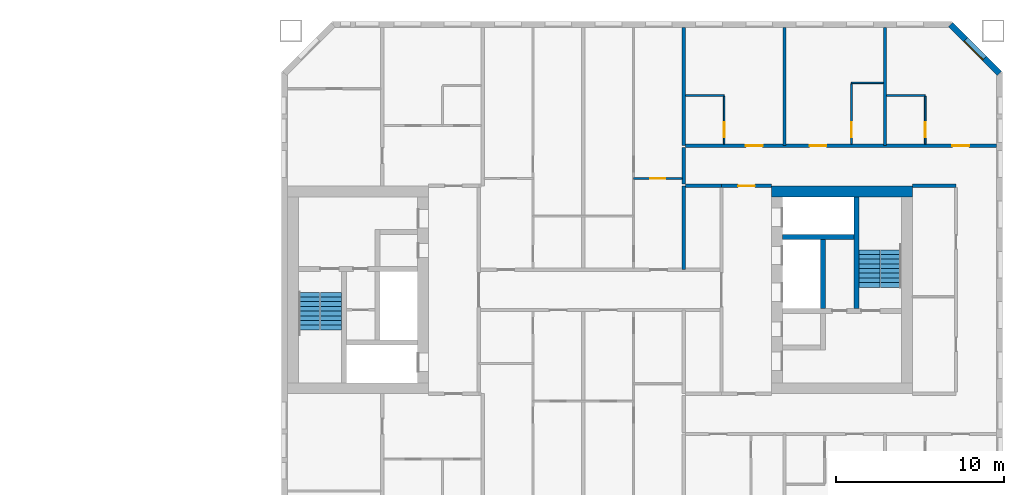
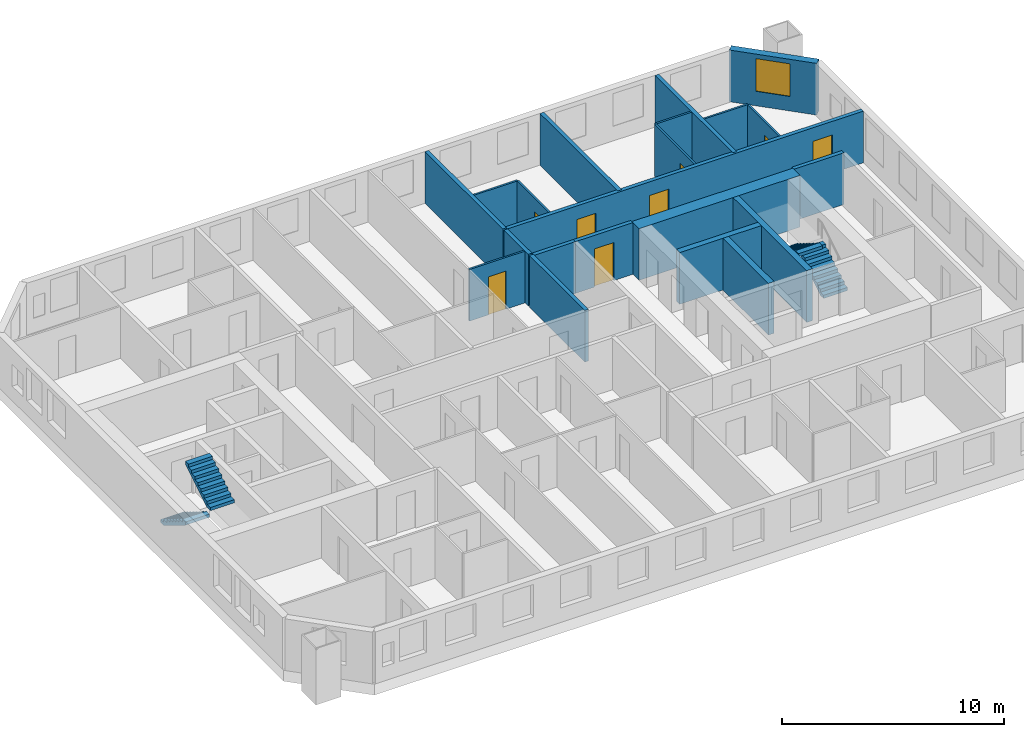
# One storey, part 14 of 16: 21 walls, 8 doors, 4 stair flights, 1 window, 9 openings, 2 elements without a shape of their own.
"""IFC4 building model written with IfcOpenShell, lengths in metres."""

from ifc_helpers import new_model, si_unit, direction, frame, frame_2d, origin, place, context, subcontext, project, spatial, polyline, rectangle, outline, extrude, material, layer, layer_set, type_object, element, fill, aggregate, save


model = new_model("IFC4")

# Units and contexts
model_context = context("Model", 3, precision=1e-05, world=origin(), true_north=direction((0.0, 1.0)))
body_context = subcontext(model_context, "Body", "Model", "MODEL_VIEW")
ifc_project = project(units=[si_unit("LENGTHUNIT", "METRE"), si_unit("AREAUNIT", "SQUARE_METRE"), si_unit("VOLUMEUNIT", "CUBIC_METRE"), si_unit("PLANEANGLEUNIT", "RADIAN"), si_unit("MASSUNIT", "GRAM", prefix="KILO")], contexts=[model_context])

# Site, building, storey
site_placement = place(None, origin())
site = spatial("IfcSite", under=ifc_project, at=site_placement, CompositionType="ELEMENT")
building_placement = place(site_placement, origin())
building = spatial("IfcBuilding", under=site, at=building_placement, Name="Tuart Gate Housing", CompositionType="ELEMENT")
storey_placement = place(building_placement, frame((0.0, 0.0, 96.39990234375)))
storey = spatial("IfcBuildingStorey", under=building, at=storey_placement, Name="L26", CompositionType="ELEMENT", Elevation=96.39990234375)

# Wall, opening, window
ifc_material_1 = material(Name="Brick", Category="masonry")
ifc_layer_1 = layer(ifc_material_1, 0.360107421875)
ifc_layer_set_1 = layer_set([ifc_layer_1], Name="Brick pier and spandrel wall 360")
wall_type_1 = type_object("IfcWallType", Name="Brick pier and spandrel wall 360", PredefinedType="STANDARD", material=ifc_layer_set_1)
wall_1_placement = place(storey_placement, frame((173.820068359375, 82.92529296875, 0.0), z_axis=(0.0, 0.0, 1.0), x_axis=(-0.707106781187, 0.707106781187, 0.0)))
wall_1 = element("IfcWall", 1, at=wall_1_placement, inside=storey, type_object=wall_type_1, Name="External wall B-NE L26", PredefinedType="STANDARD", context=body_context, shape_type="SweptSolid", body=[
    extrude(rectangle(XDim=4.09375, YDim=0.360107421875, at=frame_2d((2.046875, 0.0))), origin(), (0.0, 0.0, 1.0), 2.85009765625),
])
opening_1_placement = place(wall_1_placement, frame((1.2470703125, 0.0, 0.800048828125)))
opening_1 = element("IfcOpeningElement", 2, at=opening_1_placement, cuts=wall_1, Name="Opening W1", PredefinedType="OPENING", context=body_context, shape_type="SweptSolid", body=[
    extrude(rectangle(XDim=1.60009765625, YDim=1.800048828125, at=frame_2d((0.800048828125, 0.89990234375))), frame((0.0, 0.18994140625, 0.0), z_axis=(0.0, -1.0, 0.0), x_axis=(1.0, 0.0, 0.0)), (0.0, 0.0, 1.0), 0.380126953125),
])
ifc_material_2 = material(Name="Aluminium frame with clear glass", Category="aluminium")
window_type = type_object("IfcWindowType", Name="Punched window 1600 x 1800", PartitioningType="SINGLE_PANEL", PredefinedType="WINDOW", material=ifc_material_2)
window_placement = place(opening_1_placement, origin())
window = element("IfcWindow", 3, at=window_placement, inside=storey, type_object=window_type, Name="Window W1", OverallHeight=1.800048828125, OverallWidth=1.60009765625, PartitioningType="SINGLE_PANEL", PredefinedType="WINDOW", context=body_context, shape_type="SweptSolid", body=[
    extrude(rectangle(XDim=1.60009765625, YDim=1.800048828125, at=frame_2d((0.800048828125, 0.89990234375))), frame((0.0, 0.150146484375, 0.0), z_axis=(0.0, -1.0, 0.0), x_axis=(1.0, 0.0, 0.0)), (0.0, 0.0, 1.0), 0.06005859375),
])
fill(opening_1, window)

# Walls
ifc_material_3 = material(Name="Concrete C50", Category="concrete")
ifc_layer_2 = layer(ifc_material_3, 0.300048828125)
ifc_layer_set_2 = layer_set([ifc_layer_2], Name="Core wall 300 C50")
wall_type_2 = type_object("IfcWallType", Name="Core wall 300 C50", PredefinedType="SHEAR", material=ifc_layer_set_2)
wall_2_placement = place(storey_placement, frame((160.889892578125, 73.14990234375, 0.0), z_axis=(0.0, 0.0, 1.0), x_axis=(1.0, 0.0, 0.0)))
element("IfcWall", 4, at=wall_2_placement, inside=storey, type_object=wall_type_2, Name="Core wall BK.1", PredefinedType="SHEAR", context=body_context, shape_type="SweptSolid", body=[
    extrude(rectangle(XDim=4.25, YDim=0.300048828125, at=frame_2d((2.125, 0.0))), origin(), (0.0, 0.0, 1.0), 2.85009765625),
])
wall_3_placement = place(storey_placement, frame((163.2900390625, 73.0, 0.0), z_axis=(0.0, 0.0, 1.0), x_axis=(0.0, -1.0, 0.0)))
element("IfcWall", 5, at=wall_3_placement, inside=storey, type_object=wall_type_2, Name="Core wall BK.4", PredefinedType="SHEAR", context=body_context, shape_type="SweptSolid", body=[
    extrude(rectangle(XDim=4.10009765625, YDim=0.300048828125, at=frame_2d((2.050048828125, 0.0))), origin(), (0.0, 0.0, 1.0), 2.85009765625),
])
wall_4_placement = place(storey_placement, frame((165.2900390625, 75.550048828125, 0.0), z_axis=(0.0, 0.0, 1.0), x_axis=(0.0, -1.0, 0.0)))
element("IfcWall", 6, at=wall_4_placement, inside=storey, type_object=wall_type_2, Name="Core wall BK.6", PredefinedType="SHEAR", context=body_context, shape_type="SweptSolid", body=[
    extrude(rectangle(XDim=6.650146484375, YDim=0.300048828125, at=frame_2d((3.3251953125, 0.0))), origin(), (0.0, 0.0, 1.0), 2.85009765625),
])
ifc_material_4 = material(Name="Concrete C50", Category="concrete")
ifc_layer_3 = layer(ifc_material_4, 0.64990234375)
ifc_layer_set_3 = layer_set([ifc_layer_3], Name="Core wall 650 C50")
wall_type_3 = type_object("IfcWallType", Name="Core wall 650 C50", PredefinedType="SHEAR", material=ifc_layer_set_3)
wall_5_placement = place(storey_placement, frame((160.239990234375, 75.875, 0.0), z_axis=(0.0, 0.0, 1.0), x_axis=(1.0, 0.0, 0.0)))
element("IfcWall", 7, at=wall_5_placement, inside=storey, type_object=wall_type_3, Name="Core wall BK south", PredefinedType="SHEAR", context=body_context, shape_type="SweptSolid", body=[
    extrude(rectangle(XDim=8.39990234375, YDim=0.64990234375, at=frame_2d((4.199951171875, 0.0))), origin(), (0.0, 0.0, 1.0), 2.85009765625),
])
ifc_material_5 = material(Name="Concrete masonry 15 MPa", Category="masonry")
ifc_layer_4 = layer(ifc_material_5, 0.199951171875)
ifc_layer_set_4 = layer_set([ifc_layer_4], Name="Corridor wall masonry 200")
wall_type_4 = type_object("IfcWallType", Name="Corridor wall masonry 200", PredefinedType="PARTITIONING", material=ifc_layer_set_4)
wall_6_placement = place(storey_placement, frame((155.10009765625, 76.199951171875, 0.0), z_axis=(0.0, 0.0, 1.0), x_axis=(1.0, 0.0, 0.0)))
element("IfcWall", 8, at=wall_6_placement, inside=storey, type_object=wall_type_4, Name="Corridor wall masonry 200", PredefinedType="PARTITIONING", context=body_context, shape_type="SweptSolid", body=[
    extrude(rectangle(XDim=2.139892578125, YDim=0.199951171875, at=frame_2d((1.06982421875, 0.0))), origin(), (0.0, 0.0, 1.0), 2.85009765625),
])
wall_7_placement = place(storey_placement, frame((168.639892578125, 76.199951171875, 0.0), z_axis=(0.0, 0.0, 1.0), x_axis=(1.0, 0.0, 0.0)))
element("IfcWall", 9, at=wall_7_placement, inside=storey, type_object=wall_type_4, Name="Corridor wall masonry 200", PredefinedType="PARTITIONING", context=body_context, shape_type="SweptSolid", body=[
    extrude(rectangle(XDim=2.60009765625, YDim=0.199951171875, at=frame_2d((1.300048828125, 0.0))), origin(), (0.0, 0.0, 1.0), 2.85009765625),
])

# Wall, openings, doors
wall_8_placement = place(storey_placement, frame((155.10009765625, 78.60009765625, 0.0), z_axis=(0.0, 0.0, 1.0), x_axis=(1.0, 0.0, 0.0)))
wall_8 = element("IfcWall", 10, at=wall_8_placement, inside=storey, type_object=wall_type_4, Name="Corridor wall masonry 200", PredefinedType="PARTITIONING", context=body_context, shape_type="SweptSolid", body=[
    extrude(rectangle(XDim=18.539794921875, YDim=0.199951171875, at=frame_2d((9.27001953125, 0.0))), origin(), (0.0, 0.0, 1.0), 2.85009765625),
])
opening_2_placement = place(wall_8_placement, frame((3.60009765625, 0.0, 0.0)))
opening_2 = element("IfcOpeningElement", 11, at=opening_2_placement, cuts=wall_8, Name="Opening D1132", PredefinedType="OPENING", context=body_context, shape_type="SweptSolid", body=[
    extrude(rectangle(XDim=1.0, YDim=2.10009765625, at=frame_2d((0.5, 1.050048828125))), frame((0.0, 0.10986328125, 0.0), z_axis=(0.0, -1.0, 0.0), x_axis=(1.0, 0.0, 0.0)), (0.0, 0.0, 1.0), 0.219970703125),
])
opening_3_placement = place(wall_8_placement, frame((7.39990234375, 0.0, 0.0)))
opening_3 = element("IfcOpeningElement", 12, at=opening_3_placement, cuts=wall_8, Name="Opening D1133", PredefinedType="OPENING", context=body_context, shape_type="SweptSolid", body=[
    extrude(rectangle(XDim=1.0, YDim=2.10009765625, at=frame_2d((0.5, 1.050048828125))), frame((0.0, 0.10986328125, 0.0), z_axis=(0.0, -1.0, 0.0), x_axis=(1.0, 0.0, 0.0)), (0.0, 0.0, 1.0), 0.219970703125),
])
opening_4_placement = place(wall_8_placement, frame((15.919921875, 0.0, 0.0)))
opening_4 = element("IfcOpeningElement", 13, at=opening_4_placement, cuts=wall_8, Name="Opening D1134", PredefinedType="OPENING", context=body_context, shape_type="SweptSolid", body=[
    extrude(rectangle(XDim=1.0, YDim=2.10009765625, at=frame_2d((0.5, 1.050048828125))), frame((0.0, 0.10986328125, 0.0), z_axis=(0.0, -1.0, 0.0), x_axis=(1.0, 0.0, 0.0)), (0.0, 0.0, 1.0), 0.219970703125),
])
ifc_material_6 = material(Name="Timber door leaf in steel frame", Category="steel")
door_type_1 = type_object("IfcDoorType", Name="Flat entrance door 1000", OperationType="SINGLE_SWING_LEFT", PredefinedType="DOOR", material=ifc_material_6)
door_1_placement = place(opening_2_placement, origin())
door_1 = element("IfcDoor", 14, at=door_1_placement, inside=storey, type_object=door_type_1, Name="Flat entrance door", OperationType="SINGLE_SWING_LEFT", OverallHeight=2.10009765625, OverallWidth=1.0, PredefinedType="DOOR", context=body_context, shape_type="SweptSolid", body=[
    extrude(rectangle(XDim=1.0, YDim=2.10009765625, at=frame_2d((0.5, 1.050048828125))), frame((0.0, 0.02490234375, 0.0), z_axis=(0.0, -1.0, 0.0), x_axis=(1.0, 0.0, 0.0)), (0.0, 0.0, 1.0), 0.050048828125),
])
fill(opening_2, door_1)
door_2_placement = place(opening_3_placement, origin())
door_2 = element("IfcDoor", 15, at=door_2_placement, inside=storey, type_object=door_type_1, Name="Flat entrance door", OperationType="SINGLE_SWING_LEFT", OverallHeight=2.10009765625, OverallWidth=1.0, PredefinedType="DOOR", context=body_context, shape_type="SweptSolid", body=[
    extrude(rectangle(XDim=1.0, YDim=2.10009765625, at=frame_2d((0.5, 1.050048828125))), frame((0.0, 0.02490234375, 0.0), z_axis=(0.0, -1.0, 0.0), x_axis=(1.0, 0.0, 0.0)), (0.0, 0.0, 1.0), 0.050048828125),
])
fill(opening_3, door_2)
door_3_placement = place(opening_4_placement, origin())
door_3 = element("IfcDoor", 16, at=door_3_placement, inside=storey, type_object=door_type_1, Name="Flat entrance door", OperationType="SINGLE_SWING_LEFT", OverallHeight=2.10009765625, OverallWidth=1.0, PredefinedType="DOOR", context=body_context, shape_type="SweptSolid", body=[
    extrude(rectangle(XDim=1.0, YDim=2.10009765625, at=frame_2d((0.5, 1.050048828125))), frame((0.0, 0.02490234375, 0.0), z_axis=(0.0, -1.0, 0.0), x_axis=(1.0, 0.0, 0.0)), (0.0, 0.0, 1.0), 0.050048828125),
])
fill(opening_4, door_3)

# Wall
wall_9_placement = place(storey_placement, frame((155.0, 76.300048828125, 0.0), z_axis=(0.0, 0.0, 1.0), x_axis=(0.0, 1.0, 0.0)))
element("IfcWall", 17, at=wall_9_placement, inside=storey, type_object=wall_type_4, Name="Corridor wall masonry 200", PredefinedType="PARTITIONING", context=body_context, shape_type="SweptSolid", body=[
    extrude(rectangle(XDim=2.199951171875, YDim=0.199951171875, at=frame_2d((1.10009765625, 0.0))), origin(), (0.0, 0.0, 1.0), 2.85009765625),
])

# Wall, opening, door
ifc_material_7 = material(Name="Concrete masonry 15 MPa", Category="masonry")
ifc_layer_5 = layer(ifc_material_7, 0.199951171875)
ifc_layer_set_5 = layer_set([ifc_layer_5], Name="Enclosure wall masonry 200")
wall_type_5 = type_object("IfcWallType", Name="Enclosure wall masonry 200", PredefinedType="PARTITIONING", material=ifc_layer_set_5)
wall_10_placement = place(storey_placement, frame((157.239990234375, 76.199951171875, 0.0), z_axis=(0.0, 0.0, 1.0), x_axis=(1.0, 0.0, 0.0)))
wall_10 = element("IfcWall", 18, at=wall_10_placement, inside=storey, type_object=wall_type_5, Name="Enclosure wall masonry 200", PredefinedType="PARTITIONING", context=body_context, shape_type="SweptSolid", body=[
    extrude(rectangle(XDim=3.0, YDim=0.199951171875, at=frame_2d((1.5, 0.0))), origin(), (0.0, 0.0, 1.0), 2.85009765625),
])
opening_5_placement = place(wall_10_placement, frame((1.0, 0.0, 0.0)))
opening_5 = element("IfcOpeningElement", 19, at=opening_5_placement, cuts=wall_10, Name="Opening D1142", PredefinedType="OPENING", context=body_context, shape_type="SweptSolid", body=[
    extrude(rectangle(XDim=1.0, YDim=2.10009765625, at=frame_2d((0.5, 1.050048828125))), frame((0.0, 0.10986328125, 0.0), z_axis=(0.0, -1.0, 0.0), x_axis=(1.0, 0.0, 0.0)), (0.0, 0.0, 1.0), 0.219970703125),
])
ifc_material_8 = material(Name="Timber door leaf in steel frame", Category="steel")
door_type_2 = type_object("IfcDoorType", Name="Fire door 1000", OperationType="SINGLE_SWING_LEFT", PredefinedType="DOOR", material=ifc_material_8)
door_4_placement = place(opening_5_placement, origin())
door_4 = element("IfcDoor", 20, at=door_4_placement, inside=storey, type_object=door_type_2, Name="Fire door", OperationType="SINGLE_SWING_LEFT", OverallHeight=2.10009765625, OverallWidth=1.0, PredefinedType="DOOR", context=body_context, shape_type="SweptSolid", body=[
    extrude(rectangle(XDim=1.0, YDim=2.10009765625, at=frame_2d((0.5, 1.050048828125))), frame((0.0, 0.02490234375, 0.0), z_axis=(0.0, -1.0, 0.0), x_axis=(1.0, 0.0, 0.0)), (0.0, 0.0, 1.0), 0.050048828125),
])
fill(opening_5, door_4)

ifc_material_9 = material(Name="Gypsum board on steel studs", Category="steel")
ifc_layer_6 = layer(ifc_material_9, 0.10009765625)
ifc_layer_set_6 = layer_set([ifc_layer_6], Name="Partition 100")
wall_type_6 = type_object("IfcWallType", Name="Partition 100", PredefinedType="PARTITIONING", material=ifc_layer_set_6)
wall_11_placement = place(storey_placement, frame((152.0, 76.639892578125, 0.0), z_axis=(0.0, 0.0, 1.0), x_axis=(1.0, 0.0, 0.0)))
wall_11 = element("IfcWall", 21, at=wall_11_placement, inside=storey, type_object=wall_type_6, Name="Partition 100", PredefinedType="PARTITIONING", context=body_context, shape_type="SweptSolid", body=[
    extrude(rectangle(XDim=2.89990234375, YDim=0.10009765625, at=frame_2d((1.449951171875, 0.0))), origin(), (0.0, 0.0, 1.0), 2.85009765625),
])
opening_6_placement = place(wall_11_placement, frame((1.0, 0.0, 0.0)))
opening_6 = element("IfcOpeningElement", 22, at=opening_6_placement, cuts=wall_11, Name="Opening D1140", PredefinedType="OPENING", context=body_context, shape_type="SweptSolid", body=[
    extrude(rectangle(XDim=0.89990234375, YDim=2.10009765625, at=frame_2d((0.449951171875, 1.050048828125))), frame((0.0, 0.06005859375, 0.0), z_axis=(0.0, -1.0, 0.0), x_axis=(1.0, 0.0, 0.0)), (0.0, 0.0, 1.0), 0.1201171875),
])
ifc_material_10 = material(Name="Timber door leaf in steel frame", Category="steel")
door_type_3 = type_object("IfcDoorType", Name="Internal door 900 RH", OperationType="SINGLE_SWING_RIGHT", PredefinedType="DOOR", material=ifc_material_10)
door_5_placement = place(opening_6_placement, frame((0.89990234375, 0.0, 0.0), z_axis=(0.0, 0.0, 1.0), x_axis=(-1.0, 0.0, 0.0)))
door_5 = element("IfcDoor", 23, at=door_5_placement, inside=storey, type_object=door_type_3, Name="Internal door", OperationType="SINGLE_SWING_RIGHT", OverallHeight=2.10009765625, OverallWidth=0.89990234375, PredefinedType="DOOR", context=body_context, shape_type="SweptSolid", body=[
    extrude(rectangle(XDim=0.89990234375, YDim=2.10009765625, at=frame_2d((0.449951171875, 1.050048828125))), frame((0.0, 0.025146484375, 0.0), z_axis=(0.0, -1.0, 0.0), x_axis=(1.0, 0.0, 0.0)), (0.0, 0.0, 1.0), 0.050048828125),
])
fill(opening_6, door_5)

# Walls
for number, where, z_axis, x_axis, name in (
    (24, (155.10009765625, 81.60009765625, 0.0), (0.0, 0.0, 1.0), (1.0, 0.0, 0.0), "Partition 100"),
    (25, (167.10009765625, 81.60009765625, 0.0), (0.0, 0.0, 1.0), (1.0, 0.0, 0.0), "Partition 100"),
):
    element("IfcWall", number, at=place(storey_placement, frame(where, z_axis=z_axis, x_axis=x_axis)), inside=storey, type_object=wall_type_6, Name=name, PredefinedType="PARTITIONING", context=body_context, shape_type="SweptSolid", body=[
        extrude(rectangle(XDim=2.2998046875, YDim=0.10009765625, at=frame_2d((1.14990234375, 0.0))), origin(), (0.0, 0.0, 1.0), 2.85009765625),
    ])
wall_12_placement = place(storey_placement, frame((165.0, 82.35009765625, 0.0), z_axis=(0.0, 0.0, 1.0), x_axis=(1.0, 0.0, 0.0)))
element("IfcWall", 26, at=wall_12_placement, inside=storey, type_object=wall_type_6, Name="Partition 100", PredefinedType="PARTITIONING", context=body_context, shape_type="SweptSolid", body=[
    extrude(rectangle(XDim=1.89990234375, YDim=0.10009765625, at=frame_2d((0.949951171875, 0.0))), origin(), (0.0, 0.0, 1.0), 2.85009765625),
])

# Wall, opening, door
wall_13_placement = place(storey_placement, frame((157.39990234375, 78.699951171875, 0.0), z_axis=(0.0, 0.0, 1.0), x_axis=(0.0, 1.0, 0.0)))
wall_13 = element("IfcWall", 27, at=wall_13_placement, inside=storey, type_object=wall_type_6, Name="Partition 100", PredefinedType="PARTITIONING", context=body_context, shape_type="SweptSolid", body=[
    extrude(rectangle(XDim=2.85009765625, YDim=0.10009765625, at=frame_2d((1.425048828125, 0.0))), origin(), (0.0, 0.0, 1.0), 2.85009765625),
])
opening_7_placement = place(wall_13_placement, frame((0.39990234375, 0.0, 0.0)))
opening_7 = element("IfcOpeningElement", 28, at=opening_7_placement, cuts=wall_13, Name="Opening D1128", PredefinedType="OPENING", context=body_context, shape_type="SweptSolid", body=[
    extrude(rectangle(XDim=0.89990234375, YDim=2.10009765625, at=frame_2d((0.449951171875, 1.050048828125))), frame((0.0, 0.06005859375, 0.0), z_axis=(0.0, -1.0, 0.0), x_axis=(1.0, 0.0, 0.0)), (0.0, 0.0, 1.0), 0.1201171875),
])
ifc_material_11 = material(Name="Timber door leaf in steel frame", Category="steel")
door_type_4 = type_object("IfcDoorType", Name="Bathroom door 900", OperationType="SINGLE_SWING_LEFT", PredefinedType="DOOR", material=ifc_material_11)
door_6_placement = place(opening_7_placement, origin())
door_6 = element("IfcDoor", 29, at=door_6_placement, inside=storey, type_object=door_type_4, Name="Bathroom door", OperationType="SINGLE_SWING_LEFT", OverallHeight=2.10009765625, OverallWidth=0.89990234375, PredefinedType="DOOR", context=body_context, shape_type="SweptSolid", body=[
    extrude(rectangle(XDim=0.89990234375, YDim=2.10009765625, at=frame_2d((0.449951171875, 1.050048828125))), frame((0.0, 0.02490234375, 0.0), z_axis=(0.0, -1.0, 0.0), x_axis=(1.0, 0.0, 0.0)), (0.0, 0.0, 1.0), 0.050048828125),
])
fill(opening_7, door_6)

wall_14_placement = place(storey_placement, frame((165.0, 78.699951171875, 0.0), z_axis=(0.0, 0.0, 1.0), x_axis=(0.0, 1.0, 0.0)))
wall_14 = element("IfcWall", 30, at=wall_14_placement, inside=storey, type_object=wall_type_6, Name="Partition 100", PredefinedType="PARTITIONING", context=body_context, shape_type="SweptSolid", body=[
    extrude(rectangle(XDim=3.60009765625, YDim=0.10009765625, at=frame_2d((1.800048828125, 0.0))), origin(), (0.0, 0.0, 1.0), 2.85009765625),
])
opening_8_placement = place(wall_14_placement, frame((0.39990234375, 0.0, 0.0)))
opening_8 = element("IfcOpeningElement", 31, at=opening_8_placement, cuts=wall_14, Name="Opening D1127", PredefinedType="OPENING", context=body_context, shape_type="SweptSolid", body=[
    extrude(rectangle(XDim=0.89990234375, YDim=2.10009765625, at=frame_2d((0.449951171875, 1.050048828125))), frame((0.0, 0.06005859375, 0.0), z_axis=(0.0, -1.0, 0.0), x_axis=(1.0, 0.0, 0.0)), (0.0, 0.0, 1.0), 0.1201171875),
])
ifc_material_12 = material(Name="Timber door leaf in steel frame", Category="steel")
door_type_5 = type_object("IfcDoorType", Name="Bathroom door 900 RH", OperationType="SINGLE_SWING_RIGHT", PredefinedType="DOOR", material=ifc_material_12)
door_7_placement = place(opening_8_placement, frame((0.89990234375, 0.0, 0.0), z_axis=(0.0, 0.0, 1.0), x_axis=(-1.0, 0.0, 0.0)))
door_7 = element("IfcDoor", 32, at=door_7_placement, inside=storey, type_object=door_type_5, Name="Bathroom door", OperationType="SINGLE_SWING_RIGHT", OverallHeight=2.10009765625, OverallWidth=0.89990234375, PredefinedType="DOOR", context=body_context, shape_type="SweptSolid", body=[
    extrude(rectangle(XDim=0.89990234375, YDim=2.10009765625, at=frame_2d((0.449951171875, 1.050048828125))), frame((0.0, 0.025146484375, 0.0), z_axis=(0.0, -1.0, 0.0), x_axis=(1.0, 0.0, 0.0)), (0.0, 0.0, 1.0), 0.050048828125),
])
fill(opening_8, door_7)

wall_15_placement = place(storey_placement, frame((169.39990234375, 78.699951171875, 0.0), z_axis=(0.0, 0.0, 1.0), x_axis=(0.0, 1.0, 0.0)))
wall_15 = element("IfcWall", 33, at=wall_15_placement, inside=storey, type_object=wall_type_6, Name="Partition 100", PredefinedType="PARTITIONING", context=body_context, shape_type="SweptSolid", body=[
    extrude(rectangle(XDim=2.85009765625, YDim=0.10009765625, at=frame_2d((1.425048828125, 0.0))), origin(), (0.0, 0.0, 1.0), 2.85009765625),
])
opening_9_placement = place(wall_15_placement, frame((0.39990234375, 0.0, 0.0)))
opening_9 = element("IfcOpeningElement", 34, at=opening_9_placement, cuts=wall_15, Name="Opening D1129", PredefinedType="OPENING", context=body_context, shape_type="SweptSolid", body=[
    extrude(rectangle(XDim=0.89990234375, YDim=2.10009765625, at=frame_2d((0.449951171875, 1.050048828125))), frame((0.0, 0.06005859375, 0.0), z_axis=(0.0, -1.0, 0.0), x_axis=(1.0, 0.0, 0.0)), (0.0, 0.0, 1.0), 0.1201171875),
])
door_8_placement = place(opening_9_placement, origin())
door_8 = element("IfcDoor", 35, at=door_8_placement, inside=storey, type_object=door_type_4, Name="Bathroom door", OperationType="SINGLE_SWING_LEFT", OverallHeight=2.10009765625, OverallWidth=0.89990234375, PredefinedType="DOOR", context=body_context, shape_type="SweptSolid", body=[
    extrude(rectangle(XDim=0.89990234375, YDim=2.10009765625, at=frame_2d((0.449951171875, 1.050048828125))), frame((0.0, 0.02490234375, 0.0), z_axis=(0.0, -1.0, 0.0), x_axis=(1.0, 0.0, 0.0)), (0.0, 0.0, 1.0), 0.050048828125),
])
fill(opening_9, door_8)

# Walls
ifc_material_13 = material(Name="Concrete C40", Category="concrete")
ifc_layer_7 = layer(ifc_material_13, 0.199951171875)
ifc_layer_set_7 = layer_set([ifc_layer_7], Name="Party wall concrete C40 200")
wall_type_7 = type_object("IfcWallType", Name="Party wall concrete C40 200", PredefinedType="SOLIDWALL", material=ifc_layer_set_7)
wall_16_placement = place(storey_placement, frame((155.0, 71.199951171875, 0.0), z_axis=(0.0, 0.0, 1.0), x_axis=(0.0, 1.0, 0.0)))
element("IfcWall", 36, at=wall_16_placement, inside=storey, type_object=wall_type_7, Name="Party wall concrete C40 200", PredefinedType="SOLIDWALL", context=body_context, shape_type="SweptSolid", body=[
    extrude(rectangle(XDim=5.0, YDim=0.199951171875, at=frame_2d((2.5, 0.0))), origin(), (0.0, 0.0, 1.0), 2.85009765625),
])
for number, where, z_axis, x_axis, name in (
    (37, (155.0, 78.60009765625, 0.0), (0.0, 0.0, 1.0), (0.0, 1.0, 0.0), "Party wall concrete C40 200"),
    (38, (161.0, 78.60009765625, 0.0), (0.0, 0.0, 1.0), (0.0, 1.0, 0.0), "Party wall concrete C40 200"),
    (39, (167.0, 78.60009765625, 0.0), (0.0, 0.0, 1.0), (0.0, 1.0, 0.0), "Party wall concrete C40 200"),
):
    element("IfcWall", number, at=place(storey_placement, frame(where, z_axis=z_axis, x_axis=x_axis)), inside=storey, type_object=wall_type_7, Name=name, PredefinedType="SOLIDWALL", context=body_context, shape_type="SweptSolid", body=[
        extrude(rectangle(XDim=7.039794921875, YDim=0.199951171875, at=frame_2d((3.52001953125, 0.0))), origin(), (0.0, 0.0, 1.0), 2.85009765625),
    ])

# Stair, stair flights
ifc_material_14 = material(Name="Concrete C40", Category="concrete")
stair_type = type_object("IfcStairType", Name="Core stair 1250", PredefinedType="HALF_TURN_STAIR", material=ifc_material_14)
stair_1_placement = place(storey_placement, origin())
stair_1 = element("IfcStair", 40, at=stair_1_placement, inside=storey, type_object=stair_type, Name="Stair SB1", PredefinedType="HALF_TURN_STAIR")
ifc_material_15 = material(Name="Concrete C40", Category="concrete")
stair_flight_type = type_object("IfcStairFlightType", Name="Stair flight 1250, 9 risers 172 x 280", PredefinedType="STRAIGHT", material=ifc_material_15)
stair_flight_1_placement = place(storey_placement, frame((132.635009765625, 69.85009765625, 0.0), z_axis=(0.0, 0.0, 1.0), x_axis=(0.0, -1.0, 0.0)))
stair_flight_1 = element("IfcStairFlight", 41, at=stair_flight_1_placement, type_object=stair_flight_type, Name="SB1 flight 1", NumberOfRisers=9, NumberOfTreads=8, PredefinedType="STRAIGHT", RiserHeight=0.172222222, TreadLength=0.28, context=body_context, shape_type="SweptSolid", body=[
    extrude(outline(polyline([(0.0, 0.0), (0.0, 0.172119140625), (0.280029296875, 0.172119140625), (0.280029296875, 0.344482421875), (0.56005859375, 0.344482421875), (0.56005859375, 0.5166015625), (0.840087890625, 0.5166015625), (0.840087890625, 0.68896484375), (1.1201171875, 0.68896484375), (1.1201171875, 0.861083984375), (1.39990234375, 0.861083984375), (1.39990234375, 1.033447265625), (1.679931640625, 1.033447265625), (1.679931640625, 1.20556640625), (1.9599609375, 1.20556640625), (1.9599609375, 1.377685546875), (2.239990234375, 1.377685546875), (2.239990234375, 1.550048828125), (2.239990234375, 1.201904296875), (0.2861328125, 0.0), (0.0, 0.0)])), frame((0.0, 0.625, 0.0), z_axis=(0.0, -1.0, 0.0), x_axis=(1.0, 0.0, 0.0)), (0.0, 0.0, 1.0), 1.25),
])
stair_flight_2_placement = place(storey_placement, frame((133.93505859375, 67.610107421875, 1.550048828125), z_axis=(0.0, 0.0, 1.0), x_axis=(0.0, 1.0, 0.0)))
stair_flight_2 = element("IfcStairFlight", 42, at=stair_flight_2_placement, type_object=stair_flight_type, Name="SB1 flight 2", NumberOfRisers=9, NumberOfTreads=8, PredefinedType="STRAIGHT", RiserHeight=0.172222222, TreadLength=0.28, context=body_context, shape_type="SweptSolid", body=[
    extrude(outline(polyline([(0.0, 0.0), (0.0, 0.172119140625), (0.280029296875, 0.172119140625), (0.280029296875, 0.344482421875), (0.56005859375, 0.344482421875), (0.56005859375, 0.5166015625), (0.840087890625, 0.5166015625), (0.840087890625, 0.68896484375), (1.1201171875, 0.68896484375), (1.1201171875, 0.861083984375), (1.39990234375, 0.861083984375), (1.39990234375, 1.033447265625), (1.679931640625, 1.033447265625), (1.679931640625, 1.20556640625), (1.9599609375, 1.20556640625), (1.9599609375, 1.377685546875), (2.239990234375, 1.377685546875), (2.239990234375, 1.550048828125), (2.239990234375, 1.201904296875), (0.2861328125, 0.0), (0.0, 0.0)])), frame((0.0, 0.625, 0.0), z_axis=(0.0, -1.0, 0.0), x_axis=(1.0, 0.0, 0.0)), (0.0, 0.0, 1.0), 1.25),
])
aggregate(stair_1, [stair_flight_1, stair_flight_2])

stair_2_placement = place(storey_placement, origin())
stair_2 = element("IfcStair", 43, at=stair_2_placement, inside=storey, type_object=stair_type, Name="Stair SB2", PredefinedType="HALF_TURN_STAIR")
stair_flight_3_placement = place(storey_placement, frame((167.364990234375, 70.14990234375, 0.0), z_axis=(0.0, 0.0, 1.0), x_axis=(0.0, 1.0, 0.0)))
stair_flight_3 = element("IfcStairFlight", 44, at=stair_flight_3_placement, type_object=stair_flight_type, Name="SB2 flight 1", NumberOfRisers=9, NumberOfTreads=8, PredefinedType="STRAIGHT", RiserHeight=0.172222222, TreadLength=0.28, context=body_context, shape_type="SweptSolid", body=[
    extrude(outline(polyline([(0.0, 0.0), (0.0, 0.172119140625), (0.280029296875, 0.172119140625), (0.280029296875, 0.344482421875), (0.56005859375, 0.344482421875), (0.56005859375, 0.5166015625), (0.840087890625, 0.5166015625), (0.840087890625, 0.68896484375), (1.1201171875, 0.68896484375), (1.1201171875, 0.861083984375), (1.39990234375, 0.861083984375), (1.39990234375, 1.033447265625), (1.679931640625, 1.033447265625), (1.679931640625, 1.20556640625), (1.9599609375, 1.20556640625), (1.9599609375, 1.377685546875), (2.239990234375, 1.377685546875), (2.239990234375, 1.550048828125), (2.239990234375, 1.201904296875), (0.2861328125, 0.0), (0.0, 0.0)])), frame((0.0, 0.625, 0.0), z_axis=(0.0, -1.0, 0.0), x_axis=(1.0, 0.0, 0.0)), (0.0, 0.0, 1.0), 1.25),
])
stair_flight_4_placement = place(storey_placement, frame((166.06494140625, 72.389892578125, 1.550048828125), z_axis=(0.0, 0.0, 1.0), x_axis=(0.0, -1.0, 0.0)))
stair_flight_4 = element("IfcStairFlight", 45, at=stair_flight_4_placement, type_object=stair_flight_type, Name="SB2 flight 2", NumberOfRisers=9, NumberOfTreads=8, PredefinedType="STRAIGHT", RiserHeight=0.172222222, TreadLength=0.28, context=body_context, shape_type="SweptSolid", body=[
    extrude(outline(polyline([(0.0, 0.0), (0.0, 0.172119140625), (0.280029296875, 0.172119140625), (0.280029296875, 0.344482421875), (0.56005859375, 0.344482421875), (0.56005859375, 0.5166015625), (0.840087890625, 0.5166015625), (0.840087890625, 0.68896484375), (1.1201171875, 0.68896484375), (1.1201171875, 0.861083984375), (1.39990234375, 0.861083984375), (1.39990234375, 1.033447265625), (1.679931640625, 1.033447265625), (1.679931640625, 1.20556640625), (1.9599609375, 1.20556640625), (1.9599609375, 1.377685546875), (2.239990234375, 1.377685546875), (2.239990234375, 1.550048828125), (2.239990234375, 1.201904296875), (0.2861328125, 0.0), (0.0, 0.0)])), frame((0.0, 0.625, 0.0), z_axis=(0.0, -1.0, 0.0), x_axis=(1.0, 0.0, 0.0)), (0.0, 0.0, 1.0), 1.25),
])
aggregate(stair_2, [stair_flight_3, stair_flight_4])

save(model, "model.ifc")
